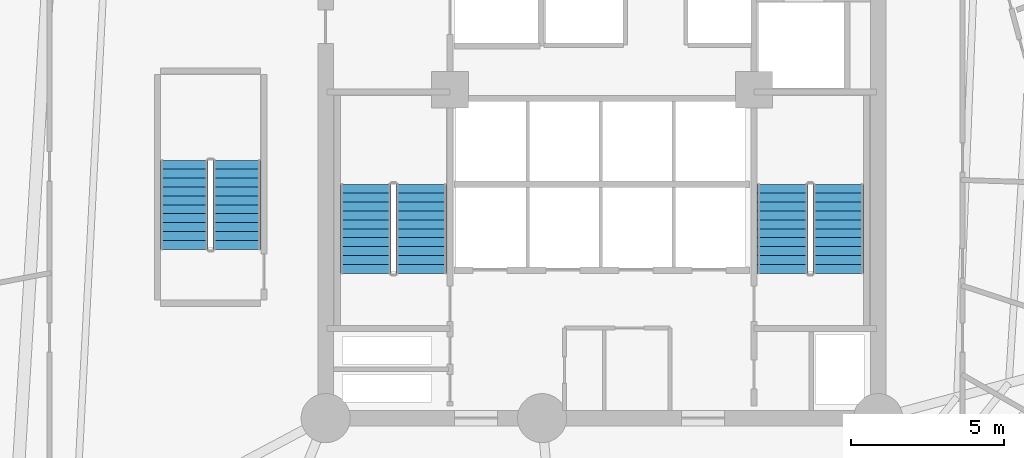
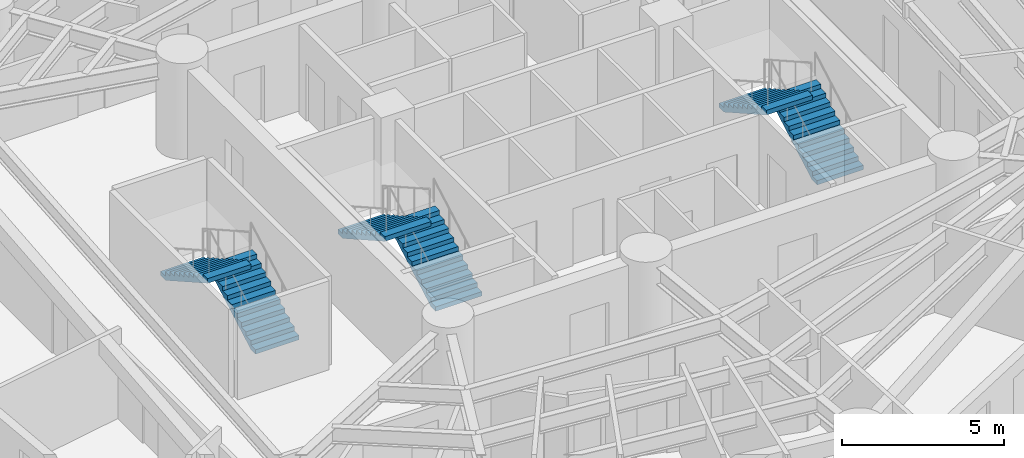
# One storey, part 7 of 8: 6 stair flights, 3 elements without a shape of their own.
"""IFC4 building model written with IfcOpenShell, lengths in metres."""

from ifc_helpers import new_model, si_unit, direction, frame, origin, place, context, subcontext, project, spatial, polyline, outline, extrude, material, type_object, element, aggregate, save


model = new_model("IFC4")

# Units and contexts
model_context = context("Model", 3, precision=1e-05, world=origin(), true_north=direction((0.0, 1.0)))
body_context = subcontext(model_context, "Body", "Model", "MODEL_VIEW")
ifc_project = project(units=[si_unit("LENGTHUNIT", "METRE"), si_unit("AREAUNIT", "SQUARE_METRE"), si_unit("VOLUMEUNIT", "CUBIC_METRE"), si_unit("PLANEANGLEUNIT", "RADIAN"), si_unit("MASSUNIT", "GRAM", prefix="KILO")], contexts=[model_context])

# Site, building, storey
site_placement = place(None, origin())
site = spatial("IfcSite", under=ifc_project, at=site_placement, CompositionType="ELEMENT")
building_placement = place(site_placement, origin())
building = spatial("IfcBuilding", under=site, at=building_placement, Name="Karkom Vertical University and Central Library", CompositionType="ELEMENT")
storey_placement = place(building_placement, frame((0.0, 0.0, 58.89990234375)))
storey = spatial("IfcBuildingStorey", under=building, at=storey_placement, Name="L15", CompositionType="ELEMENT", Elevation=58.89990234375)

# Stair, stair flights
ifc_material = material(Name="Concrete C45/55", Category="concrete")
stair_type_1 = type_object("IfcStairType", Name="INT-STR-ST-MAIN", PredefinedType="HALF_TURN_STAIR", material=ifc_material)
stair_1_placement = place(storey_placement, origin())
stair_1 = element("IfcStair", 1, at=stair_1_placement, inside=storey, type_object=stair_type_1, Name="Level 15 Tower Protected Exit Stair ST-1", PredefinedType="HALF_TURN_STAIR")
stair_flight_type_1 = type_object("IfcStairFlightType", Name="INT-SFL-ST-MAIN", PredefinedType="STRAIGHT", material=ifc_material)
stair_flight_1_placement = place(storey_placement, frame((22.614990234375, 23.02001953125, 0.0), z_axis=(0.0, 0.0, 1.0), x_axis=(0.0, 1.0, 0.0)))
stair_flight_1 = element("IfcStairFlight", 2, at=stair_flight_1_placement, type_object=stair_flight_type_1, Name="ST-1 flight 1", NumberOfRisers=11, NumberOfTreads=10, PredefinedType="STRAIGHT", RiserHeight=0.163636364, TreadLength=0.29, context=body_context, shape_type="SweptSolid", body=[
    extrude(outline(polyline([(0.0, 0.0), (0.0, 0.16357421875), (0.2900390625, 0.16357421875), (0.2900390625, 0.327392578125), (0.580078125, 0.327392578125), (0.580078125, 0.490966796875), (0.8701171875, 0.490966796875), (0.8701171875, 0.654541015625), (1.159912109375, 0.654541015625), (1.159912109375, 0.818115234375), (1.449951171875, 0.818115234375), (1.449951171875, 0.98193359375), (1.739990234375, 0.98193359375), (1.739990234375, 1.1455078125), (2.030029296875, 1.1455078125), (2.030029296875, 1.30908203125), (2.320068359375, 1.30908203125), (2.320068359375, 1.47265625), (2.610107421875, 1.47265625), (2.610107421875, 1.636474609375), (2.89990234375, 1.636474609375), (2.89990234375, 1.800048828125), (2.89990234375, 1.46435546875), (0.304931640625, 0.0), (0.0, 0.0)])), frame((0.0, 0.824951171875, 0.0), z_axis=(0.0, -1.0, 0.0), x_axis=(1.0, 0.0, 0.0)), (0.0, 0.0, 1.0), 1.64990234375),
])
stair_flight_2_placement = place(storey_placement, frame((20.804931640625, 25.919921875, 1.800048828125), z_axis=(0.0, 0.0, 1.0), x_axis=(0.0, -1.0, 0.0)))
stair_flight_2 = element("IfcStairFlight", 3, at=stair_flight_2_placement, type_object=stair_flight_type_1, Name="ST-1 flight 2", NumberOfRisers=11, NumberOfTreads=10, PredefinedType="STRAIGHT", RiserHeight=0.163636364, TreadLength=0.29, context=body_context, shape_type="SweptSolid", body=[
    extrude(outline(polyline([(0.0, 0.0), (0.0, 0.16357421875), (0.2900390625, 0.16357421875), (0.2900390625, 0.327392578125), (0.580078125, 0.327392578125), (0.580078125, 0.490966796875), (0.8701171875, 0.490966796875), (0.8701171875, 0.654541015625), (1.159912109375, 0.654541015625), (1.159912109375, 0.818115234375), (1.449951171875, 0.818115234375), (1.449951171875, 0.98193359375), (1.739990234375, 0.98193359375), (1.739990234375, 1.1455078125), (2.030029296875, 1.1455078125), (2.030029296875, 1.30908203125), (2.320068359375, 1.30908203125), (2.320068359375, 1.47265625), (2.610107421875, 1.47265625), (2.610107421875, 1.636474609375), (2.89990234375, 1.636474609375), (2.89990234375, 1.800048828125), (2.89990234375, 1.46435546875), (0.304931640625, 0.0), (0.0, 0.0)])), frame((0.0, 0.824951171875, 0.0), z_axis=(0.0, -1.0, 0.0), x_axis=(1.0, 0.0, 0.0)), (0.0, 0.0, 1.0), 1.64990234375),
])
aggregate(stair_1, [stair_flight_1, stair_flight_2])

stair_2_placement = place(storey_placement, origin())
stair_2 = element("IfcStair", 4, at=stair_2_placement, inside=storey, type_object=stair_type_1, Name="Level 15 Tower Protected Exit Stair ST-2", PredefinedType="HALF_TURN_STAIR")
stair_flight_3_placement = place(storey_placement, frame((36.195068359375, 23.02001953125, 0.0), z_axis=(0.0, 0.0, 1.0), x_axis=(0.0, 1.0, 0.0)))
stair_flight_3 = element("IfcStairFlight", 5, at=stair_flight_3_placement, type_object=stair_flight_type_1, Name="ST-2 flight 1", NumberOfRisers=11, NumberOfTreads=10, PredefinedType="STRAIGHT", RiserHeight=0.163636364, TreadLength=0.29, context=body_context, shape_type="SweptSolid", body=[
    extrude(outline(polyline([(0.0, 0.0), (0.0, 0.16357421875), (0.2900390625, 0.16357421875), (0.2900390625, 0.327392578125), (0.580078125, 0.327392578125), (0.580078125, 0.490966796875), (0.8701171875, 0.490966796875), (0.8701171875, 0.654541015625), (1.159912109375, 0.654541015625), (1.159912109375, 0.818115234375), (1.449951171875, 0.818115234375), (1.449951171875, 0.98193359375), (1.739990234375, 0.98193359375), (1.739990234375, 1.1455078125), (2.030029296875, 1.1455078125), (2.030029296875, 1.30908203125), (2.320068359375, 1.30908203125), (2.320068359375, 1.47265625), (2.610107421875, 1.47265625), (2.610107421875, 1.636474609375), (2.89990234375, 1.636474609375), (2.89990234375, 1.800048828125), (2.89990234375, 1.46435546875), (0.304931640625, 0.0), (0.0, 0.0)])), frame((0.0, 0.824951171875, 0.0), z_axis=(0.0, -1.0, 0.0), x_axis=(1.0, 0.0, 0.0)), (0.0, 0.0, 1.0), 1.64990234375),
])
stair_flight_4_placement = place(storey_placement, frame((34.385009765625, 25.919921875, 1.800048828125), z_axis=(0.0, 0.0, 1.0), x_axis=(0.0, -1.0, 0.0)))
stair_flight_4 = element("IfcStairFlight", 6, at=stair_flight_4_placement, type_object=stair_flight_type_1, Name="ST-2 flight 2", NumberOfRisers=11, NumberOfTreads=10, PredefinedType="STRAIGHT", RiserHeight=0.163636364, TreadLength=0.29, context=body_context, shape_type="SweptSolid", body=[
    extrude(outline(polyline([(0.0, 0.0), (0.0, 0.16357421875), (0.2900390625, 0.16357421875), (0.2900390625, 0.327392578125), (0.580078125, 0.327392578125), (0.580078125, 0.490966796875), (0.8701171875, 0.490966796875), (0.8701171875, 0.654541015625), (1.159912109375, 0.654541015625), (1.159912109375, 0.818115234375), (1.449951171875, 0.818115234375), (1.449951171875, 0.98193359375), (1.739990234375, 0.98193359375), (1.739990234375, 1.1455078125), (2.030029296875, 1.1455078125), (2.030029296875, 1.30908203125), (2.320068359375, 1.30908203125), (2.320068359375, 1.47265625), (2.610107421875, 1.47265625), (2.610107421875, 1.636474609375), (2.89990234375, 1.636474609375), (2.89990234375, 1.800048828125), (2.89990234375, 1.46435546875), (0.304931640625, 0.0), (0.0, 0.0)])), frame((0.0, 0.824951171875, 0.0), z_axis=(0.0, -1.0, 0.0), x_axis=(1.0, 0.0, 0.0)), (0.0, 0.0, 1.0), 1.64990234375),
])
aggregate(stair_2, [stair_flight_3, stair_flight_4])

stair_type_2 = type_object("IfcStairType", Name="INT-STR-ST-SEC", PredefinedType="HALF_TURN_STAIR", material=ifc_material)
stair_3_placement = place(storey_placement, origin())
stair_3 = element("IfcStair", 7, at=stair_3_placement, inside=storey, type_object=stair_type_2, Name="Level 15 Academic Zone Protected Exit Stair ST-3", PredefinedType="HALF_TURN_STAIR")
stair_flight_type_2 = type_object("IfcStairFlightType", Name="INT-SFL-ST-SEC", PredefinedType="STRAIGHT", material=ifc_material)
stair_flight_5_placement = place(storey_placement, frame((16.60498046875, 23.800048828125, 0.0), z_axis=(0.0, 0.0, 1.0), x_axis=(0.0, 1.0, 0.0)))
stair_flight_5 = element("IfcStairFlight", 8, at=stair_flight_5_placement, type_object=stair_flight_type_2, Name="ST-3 flight 1", NumberOfRisers=11, NumberOfTreads=10, PredefinedType="STRAIGHT", RiserHeight=0.163636364, TreadLength=0.29, context=body_context, shape_type="SweptSolid", body=[
    extrude(outline(polyline([(0.0, 0.0), (0.0, 0.16357421875), (0.2900390625, 0.16357421875), (0.2900390625, 0.327392578125), (0.580078125, 0.327392578125), (0.580078125, 0.490966796875), (0.8701171875, 0.490966796875), (0.8701171875, 0.654541015625), (1.159912109375, 0.654541015625), (1.159912109375, 0.818115234375), (1.449951171875, 0.818115234375), (1.449951171875, 0.98193359375), (1.739990234375, 0.98193359375), (1.739990234375, 1.1455078125), (2.030029296875, 1.1455078125), (2.030029296875, 1.30908203125), (2.320068359375, 1.30908203125), (2.320068359375, 1.47265625), (2.610107421875, 1.47265625), (2.610107421875, 1.636474609375), (2.89990234375, 1.636474609375), (2.89990234375, 1.800048828125), (2.89990234375, 1.46435546875), (0.304931640625, 0.0), (0.0, 0.0)])), frame((0.0, 0.77490234375, 0.0), z_axis=(0.0, -1.0, 0.0), x_axis=(1.0, 0.0, 0.0)), (0.0, 0.0, 1.0), 1.550048828125),
])
stair_flight_6_placement = place(storey_placement, frame((14.89501953125, 26.699951171875, 1.800048828125), z_axis=(0.0, 0.0, 1.0), x_axis=(0.0, -1.0, 0.0)))
stair_flight_6 = element("IfcStairFlight", 9, at=stair_flight_6_placement, type_object=stair_flight_type_2, Name="ST-3 flight 2", NumberOfRisers=11, NumberOfTreads=10, PredefinedType="STRAIGHT", RiserHeight=0.163636364, TreadLength=0.29, context=body_context, shape_type="SweptSolid", body=[
    extrude(outline(polyline([(0.0, 0.0), (0.0, 0.16357421875), (0.2900390625, 0.16357421875), (0.2900390625, 0.327392578125), (0.580078125, 0.327392578125), (0.580078125, 0.490966796875), (0.8701171875, 0.490966796875), (0.8701171875, 0.654541015625), (1.159912109375, 0.654541015625), (1.159912109375, 0.818115234375), (1.449951171875, 0.818115234375), (1.449951171875, 0.98193359375), (1.739990234375, 0.98193359375), (1.739990234375, 1.1455078125), (2.030029296875, 1.1455078125), (2.030029296875, 1.30908203125), (2.320068359375, 1.30908203125), (2.320068359375, 1.47265625), (2.610107421875, 1.47265625), (2.610107421875, 1.636474609375), (2.89990234375, 1.636474609375), (2.89990234375, 1.800048828125), (2.89990234375, 1.46435546875), (0.304931640625, 0.0), (0.0, 0.0)])), frame((0.0, 0.77490234375, 0.0), z_axis=(0.0, -1.0, 0.0), x_axis=(1.0, 0.0, 0.0)), (0.0, 0.0, 1.0), 1.550048828125),
])
aggregate(stair_3, [stair_flight_5, stair_flight_6])

save(model, "model.ifc")
